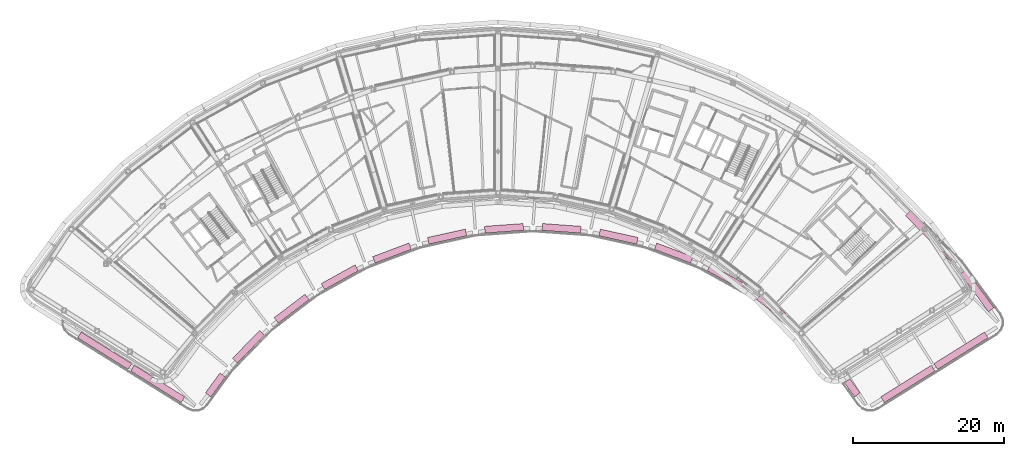
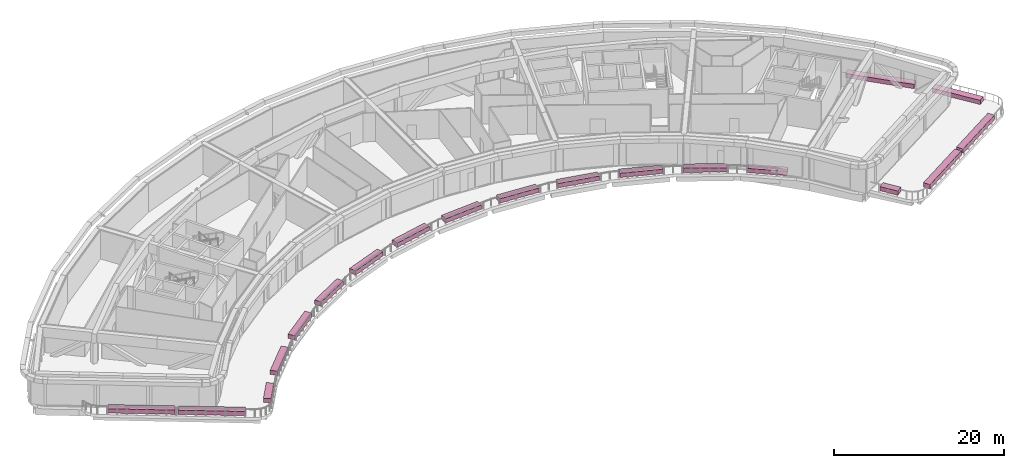
# One storey, part 24 of 24: 19 furnishings.
"""IFC4 building model written with IfcOpenShell, lengths in metres."""

from ifc_helpers import new_model, si_unit, direction, frame, origin, origin_2d, place, context, subcontext, project, spatial, rectangle, extrude, material, type_object, element, save


model = new_model("IFC4")

# Units and contexts
model_context = context("Model", 3, precision=1e-05, world=origin(), true_north=direction((0.0, 1.0)))
body_context = subcontext(model_context, "Body", "Model", "MODEL_VIEW")
ifc_project = project(units=[si_unit("LENGTHUNIT", "METRE"), si_unit("AREAUNIT", "SQUARE_METRE"), si_unit("VOLUMEUNIT", "CUBIC_METRE"), si_unit("PLANEANGLEUNIT", "RADIAN"), si_unit("MASSUNIT", "GRAM", prefix="KILO")], contexts=[model_context])

# Site, building, storey
site_placement = place(None, origin())
site = spatial("IfcSite", under=ifc_project, at=site_placement, CompositionType="ELEMENT")
building_placement = place(site_placement, origin())
building = spatial("IfcBuilding", under=site, at=building_placement, Name="Tuul Gate Civic Tower", CompositionType="ELEMENT")
storey_placement = place(building_placement, frame((0.0, 0.0, 315.199951171875)))
storey = spatial("IfcBuildingStorey", under=building, at=storey_placement, Name="Plant and refuge floor 7", CompositionType="ELEMENT", Elevation=315.199951171875)

# Furnishings
ifc_material = material(Name="Planting soil")
furnishing_element_type = type_object("IfcFurnishingElementType", Name="Planter", material=ifc_material)
furnishing_1_placement = place(storey_placement, frame((48.993408203125, -33.262939453125, 0.0), z_axis=(0.0, 0.0, 1.0), x_axis=(0.589803348113, -0.807546909198, 0.0)))
element("IfcFurnishingElement", 1, at=furnishing_1_placement, inside=storey, type_object=furnishing_element_type, Name="Planter", context=body_context, shape_type="SweptSolid", body=[
    extrude(rectangle(XDim=2.318603515625, YDim=0.89990234375, at=origin_2d()), origin(), (0.0, 0.0, 1.0), 0.60009765625),
])
for number, where, z_axis, x_axis, name in (
    (2, (56.3466796875, -32.75537109375, 0.0), (0.0, 0.0, 1.0), (0.848052818366, 0.529911707044, 0.0), "Planter"),
    (3, (63.363525390625, -28.370849609375, 0.0), (0.0, 0.0, 1.0), (0.848052818366, 0.529911707044, 0.0), "Planter"),
):
    element("IfcFurnishingElement", number, at=place(storey_placement, frame(where, z_axis=z_axis, x_axis=x_axis)), inside=storey, type_object=furnishing_element_type, Name=name, context=body_context, shape_type="SweptSolid", body=[
        extrude(rectangle(XDim=7.874267578125, YDim=0.89990234375, at=origin_2d()), origin(), (0.0, 0.0, 1.0), 0.60009765625),
    ])
furnishing_2_placement = place(storey_placement, frame((65.513427734375, -20.4453125, 0.0), z_axis=(0.0, 0.0, 1.0), x_axis=(-0.589792469982, 0.807554854083, 0.0)))
element("IfcFurnishingElement", 4, at=furnishing_2_placement, inside=storey, type_object=furnishing_element_type, Name="Planter", context=body_context, shape_type="SweptSolid", body=[
    extrude(rectangle(XDim=6.21484375, YDim=0.89990234375, at=origin_2d()), origin(), (0.0, 0.0, 1.0), 0.60009765625),
])
furnishing_3_placement = place(storey_placement, frame((59.2802734375, -13.21142578125, 0.0), z_axis=(0.0, 0.0, 1.0), x_axis=(-0.700011034438, 0.714132026775, 0.0)))
element("IfcFurnishingElement", 5, at=furnishing_3_placement, inside=storey, type_object=furnishing_element_type, Name="Planter", context=body_context, shape_type="SweptSolid", body=[
    extrude(rectangle(XDim=8.364013671875, YDim=0.89990234375, at=origin_2d()), origin(), (0.0, 0.0, 1.0), 0.60009765625),
])
for number, where, z_axis, x_axis, name in (
    (6, (-49.78759765625, -28.370849609375, 0.0), (0.0, 0.0, 1.0), (0.848052818366, -0.529911707044, 0.0), "Planter"),
    (7, (-42.7705078125, -32.75537109375, 0.0), (0.0, 0.0, 1.0), (0.848052818366, -0.529911707044, 0.0), "Planter"),
):
    element("IfcFurnishingElement", number, at=place(storey_placement, frame(where, z_axis=z_axis, x_axis=x_axis)), inside=storey, type_object=furnishing_element_type, Name=name, context=body_context, shape_type="SweptSolid", body=[
        extrude(rectangle(XDim=7.874267578125, YDim=0.89990234375, at=origin_2d()), origin(), (0.0, 0.0, 1.0), 0.60009765625),
    ])
furnishing_4_placement = place(storey_placement, frame((-35.14453125, -32.88916015625, 0.0), z_axis=(0.0, 0.0, 1.0), x_axis=(0.589803348113, 0.807546909198, 0.0)))
element("IfcFurnishingElement", 8, at=furnishing_4_placement, inside=storey, type_object=furnishing_element_type, Name="Planter", context=body_context, shape_type="SweptSolid", body=[
    extrude(rectangle(XDim=3.244140625, YDim=0.89990234375, at=origin_2d()), origin(), (0.0, 0.0, 1.0), 0.60009765625),
])
furnishing_5_placement = place(storey_placement, frame((-30.7783203125, -27.842041015625, 0.0), z_axis=(0.0, 0.0, 1.0), x_axis=(0.700010132832, 0.714132910551, 0.0)))
element("IfcFurnishingElement", 9, at=furnishing_5_placement, inside=storey, type_object=furnishing_element_type, Name="Planter", context=body_context, shape_type="SweptSolid", body=[
    extrude(rectangle(XDim=5.105712890625, YDim=0.89990234375, at=origin_2d()), origin(), (0.0, 0.0, 1.0), 0.60009765625),
])
furnishing_6_placement = place(storey_placement, frame((-25.0791015625, -22.8125, 0.0), z_axis=(0.0, 0.0, 1.0), x_axis=(0.79564579074, 0.605762144474, 0.0)))
element("IfcFurnishingElement", 10, at=furnishing_6_placement, inside=storey, type_object=furnishing_element_type, Name="Planter", context=body_context, shape_type="SweptSolid", body=[
    extrude(rectangle(XDim=5.1044921875, YDim=0.89990234375, at=origin_2d()), origin(), (0.0, 0.0, 1.0), 0.60009765625),
])
furnishing_7_placement = place(storey_placement, frame((-18.71533203125, -18.6572265625, 0.0), z_axis=(0.0, 0.0, 1.0), x_axis=(0.874615768813, 0.484816725108, 0.0)))
element("IfcFurnishingElement", 11, at=furnishing_7_placement, inside=storey, type_object=furnishing_element_type, Name="Planter", context=body_context, shape_type="SweptSolid", body=[
    extrude(rectangle(XDim=5.103759765625, YDim=0.89990234375, at=origin_2d()), origin(), (0.0, 0.0, 1.0), 0.60009765625),
])
furnishing_8_placement = place(storey_placement, frame((-11.819091796875, -15.462158203125, 0.0), z_axis=(0.0, 0.0, 1.0), x_axis=(0.935339882985, 0.353750340351, 0.0)))
element("IfcFurnishingElement", 12, at=furnishing_8_placement, inside=storey, type_object=furnishing_element_type, Name="Planter", context=body_context, shape_type="SweptSolid", body=[
    extrude(rectangle(XDim=5.105224609375, YDim=0.89990234375, at=origin_2d()), origin(), (0.0, 0.0, 1.0), 0.60009765625),
])
furnishing_9_placement = place(storey_placement, frame((-4.53369140625, -13.294189453125, 0.0), z_axis=(0.0, 0.0, 1.0), x_axis=(0.976571151758, 0.21519476191, 0.0)))
element("IfcFurnishingElement", 13, at=furnishing_9_placement, inside=storey, type_object=furnishing_element_type, Name="Planter", context=body_context, shape_type="SweptSolid", body=[
    extrude(rectangle(XDim=5.104736328125, YDim=0.89990234375, at=origin_2d()), origin(), (0.0, 0.0, 1.0), 0.60009765625),
])
for number, where, z_axis, x_axis, name in (
    (14, (2.98779296875, -12.198974609375, 0.0), (0.0, 0.0, 1.0), (0.997388553299, 0.072222390908, 0.0), "Planter"),
    (15, (10.58837890625, -12.198974609375, 0.0), (0.0, 0.0, 1.0), (0.997388553299, -0.072222390908, 0.0), "Planter"),
):
    element("IfcFurnishingElement", number, at=place(storey_placement, frame(where, z_axis=z_axis, x_axis=x_axis)), inside=storey, type_object=furnishing_element_type, Name=name, context=body_context, shape_type="SweptSolid", body=[
        extrude(rectangle(XDim=5.1044921875, YDim=0.89990234375, at=origin_2d()), origin(), (0.0, 0.0, 1.0), 0.60009765625),
    ])
furnishing_10_placement = place(storey_placement, frame((18.109619140625, -13.294189453125, 0.0), z_axis=(0.0, 0.0, 1.0), x_axis=(0.976571151758, -0.21519476191, 0.0)))
element("IfcFurnishingElement", 16, at=furnishing_10_placement, inside=storey, type_object=furnishing_element_type, Name="Planter", context=body_context, shape_type="SweptSolid", body=[
    extrude(rectangle(XDim=5.104736328125, YDim=0.89990234375, at=origin_2d()), origin(), (0.0, 0.0, 1.0), 0.60009765625),
])
furnishing_11_placement = place(storey_placement, frame((25.39501953125, -15.462158203125, 0.0), z_axis=(0.0, 0.0, 1.0), x_axis=(0.935339882985, -0.353750340351, 0.0)))
element("IfcFurnishingElement", 17, at=furnishing_11_placement, inside=storey, type_object=furnishing_element_type, Name="Planter", context=body_context, shape_type="SweptSolid", body=[
    extrude(rectangle(XDim=5.105224609375, YDim=0.89990234375, at=origin_2d()), origin(), (0.0, 0.0, 1.0), 0.60009765625),
])
furnishing_12_placement = place(storey_placement, frame((32.291748046875, -18.6572265625, 0.0), z_axis=(0.0, 0.0, 1.0), x_axis=(0.874647086822, -0.484760222702, 0.0)))
element("IfcFurnishingElement", 18, at=furnishing_12_placement, inside=storey, type_object=furnishing_element_type, Name="Planter", context=body_context, shape_type="SweptSolid", body=[
    extrude(rectangle(XDim=5.104736328125, YDim=0.89990234375, at=origin_2d()), origin(), (0.0, 0.0, 1.0), 0.60009765625),
])
furnishing_13_placement = place(storey_placement, frame((38.475341796875, -22.6748046875, 0.0), z_axis=(0.0, 0.0, 1.0), x_axis=(0.79564579074, -0.605762144474, 0.0)))
element("IfcFurnishingElement", 19, at=furnishing_13_placement, inside=storey, type_object=furnishing_element_type, Name="Planter", context=body_context, shape_type="SweptSolid", body=[
    extrude(rectangle(XDim=4.650390625, YDim=0.89990234375, at=origin_2d()), origin(), (0.0, 0.0, 1.0), 0.60009765625),
])

save(model, "model.ifc")
